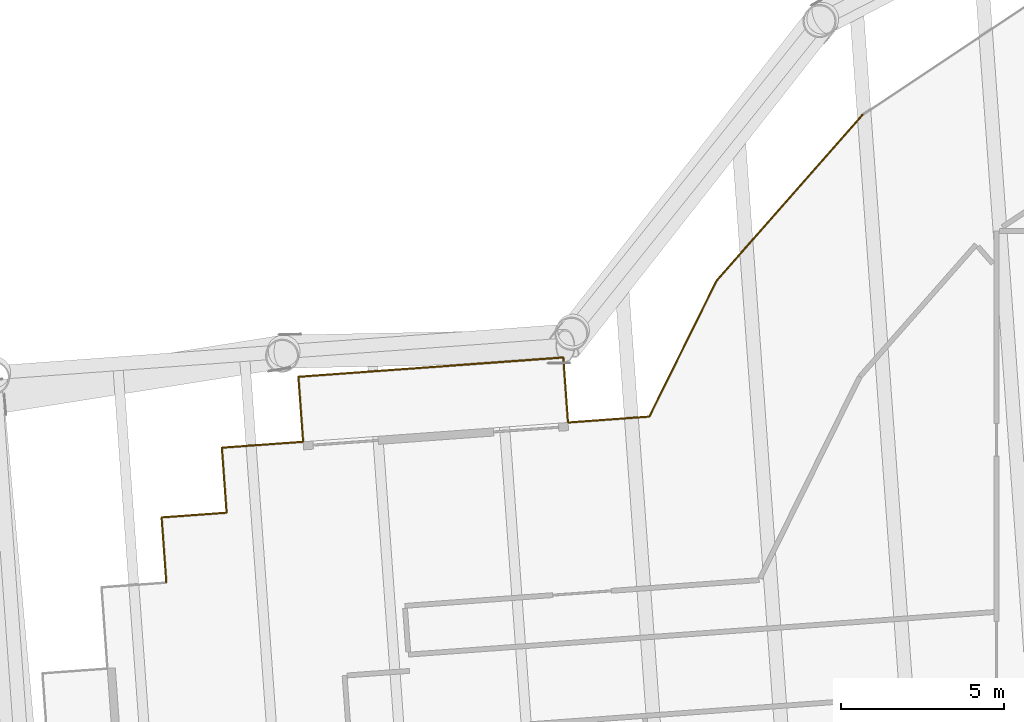
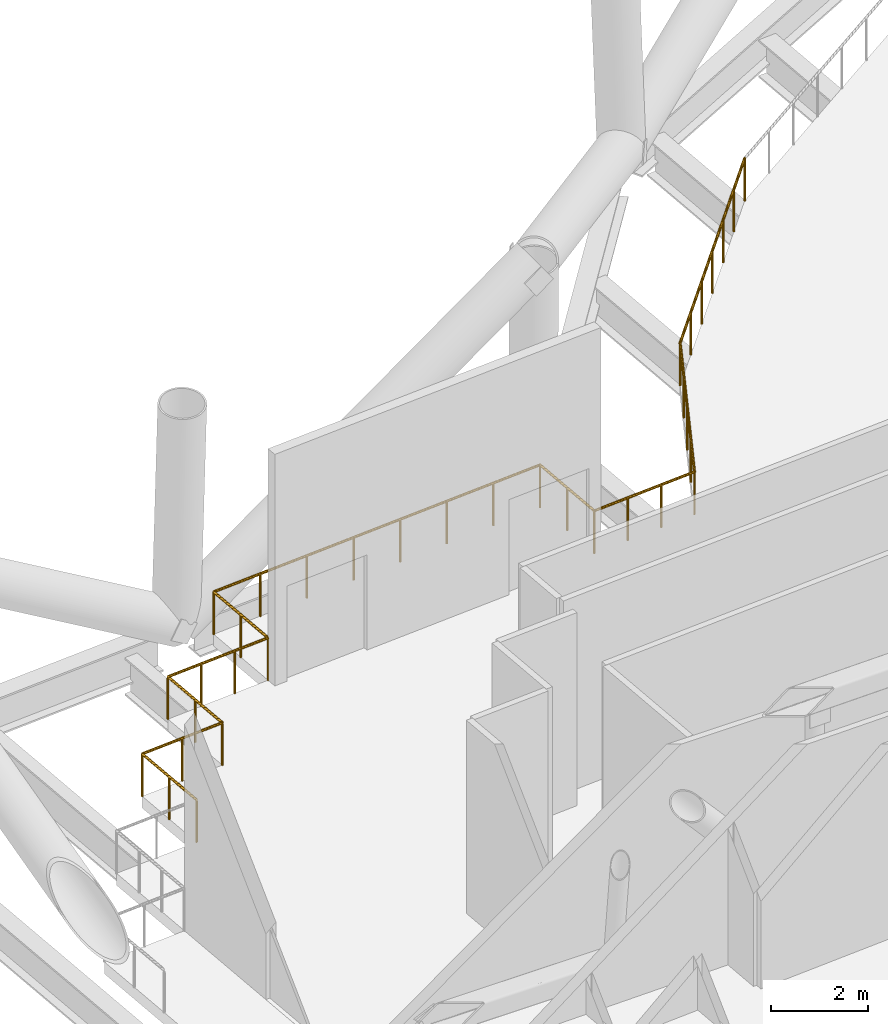
# One storey, part 29 of 33: 8 railings.
"""IFC4 building model written with IfcOpenShell, lengths in metres."""

from ifc_helpers import new_model, si_unit, direction, frame, origin, origin_2d, place, context, subcontext, project, spatial, circle, extrude, material, type_object, element, save


model = new_model("IFC4")

# Units and contexts
model_context = context("Model", 3, precision=1e-05, world=origin(), true_north=direction((0.0, 1.0)))
body_context = subcontext(model_context, "Body", "Model", "MODEL_VIEW")
ifc_project = project(units=[si_unit("LENGTHUNIT", "METRE"), si_unit("AREAUNIT", "SQUARE_METRE"), si_unit("VOLUMEUNIT", "CUBIC_METRE"), si_unit("PLANEANGLEUNIT", "RADIAN"), si_unit("MASSUNIT", "GRAM", prefix="KILO")], contexts=[model_context])

# Site, building, storey
site_placement = place(None, origin())
site = spatial("IfcSite", under=ifc_project, at=site_placement, CompositionType="ELEMENT")
building_placement = place(site_placement, origin())
building = spatial("IfcBuilding", under=site, at=building_placement, Name="Tarsis Ring Headquarters", CompositionType="ELEMENT")
storey_placement = place(building_placement, frame((0.0, 0.0, 302.0)))
storey = spatial("IfcBuildingStorey", under=building, at=storey_placement, Name="L71", CompositionType="ELEMENT", Elevation=302.0)

# Railings
ifc_material = material(Name="Stainless steel guard", Category="steel")
railing_type_1 = type_object("IfcRailingType", Name="Balcony balustrade with mesh infill 1100", PredefinedType="BALUSTRADE", material=ifc_material)
railing_1_placement = place(storey_placement, frame((-26.15234375, 10.129638671875, 0.0)))
element("IfcRailing", 1, at=railing_1_placement, inside=storey, type_object=railing_type_1, Name="Balcony balustrade L71-31", PredefinedType="BALUSTRADE", context=body_context, shape_type="SweptSolid", body=[
    extrude(circle(Radius=0.030029296875, at=origin_2d()), frame((0.0, 0.0, 1.070068359375), z_axis=(-0.072635050037, 0.99735858622, 0.0), x_axis=(-0.99735858622, -0.072635050037, 0.0)), (0.0, 0.0, 1.0), 2.0),
    extrude(circle(Radius=0.030029296875, at=origin_2d()), frame((-0.145263671875, 1.99462890625, 1.070068359375), z_axis=(-0.997365265368, -0.07254327976, 0.0), x_axis=(0.07254327976, -0.997365265368, 0.0)), (0.0, 0.0, 1.0), 8.151123046875),
    extrude(circle(Radius=0.030029296875, at=origin_2d()), frame((-8.27490234375, 1.4033203125, 1.070068359375), z_axis=(0.072513616761, -0.99736742246, 0.0), x_axis=(0.99736742246, 0.072513616761, 0.0)), (0.0, 0.0, 1.0), 2.0),
    extrude(circle(Radius=0.02490234375, at=origin_2d()), origin(), (0.0, 0.0, 1.0), 1.0400390625),
    extrude(circle(Radius=0.02490234375, at=origin_2d()), frame((-0.07275390625, 0.997314453125, 0.0)), (0.0, 0.0, 1.0), 1.0400390625),
    extrude(circle(Radius=0.02490234375, at=origin_2d()), frame((-0.145263671875, 1.99462890625, 0.0)), (0.0, 0.0, 1.0), 1.0400390625),
    extrude(circle(Radius=0.02490234375, at=origin_2d()), frame((-1.306640625, 1.91015625, 0.0)), (0.0, 0.0, 1.0), 1.0400390625),
    extrude(circle(Radius=0.02490234375, at=origin_2d()), frame((-2.468017578125, 1.82568359375, 0.0)), (0.0, 0.0, 1.0), 1.0400390625),
    extrude(circle(Radius=0.02490234375, at=origin_2d()), frame((-3.62939453125, 1.7412109375, 0.0)), (0.0, 0.0, 1.0), 1.0400390625),
    extrude(circle(Radius=0.02490234375, at=origin_2d()), frame((-4.790771484375, 1.65673828125, 0.0)), (0.0, 0.0, 1.0), 1.0400390625),
    extrude(circle(Radius=0.02490234375, at=origin_2d()), frame((-5.9521484375, 1.572265625, 0.0)), (0.0, 0.0, 1.0), 1.0400390625),
    extrude(circle(Radius=0.02490234375, at=origin_2d()), frame((-7.113525390625, 1.48779296875, 0.0)), (0.0, 0.0, 1.0), 1.0400390625),
    extrude(circle(Radius=0.02490234375, at=origin_2d()), frame((-8.27490234375, 1.4033203125, 0.0)), (0.0, 0.0, 1.0), 1.0400390625),
    extrude(circle(Radius=0.02490234375, at=origin_2d()), frame((-8.202392578125, 0.406005859375, 0.0)), (0.0, 0.0, 1.0), 1.0400390625),
    extrude(circle(Radius=0.02490234375, at=origin_2d()), frame((-8.1298828125, -0.59130859375, 0.0)), (0.0, 0.0, 1.0), 1.0400390625),
])
railing_type_2 = type_object("IfcRailingType", Name="Guard rail with mesh infill 1100", PredefinedType="GUARDRAIL", material=ifc_material)
railing_2_placement = place(storey_placement, frame((-17.1123046875, 19.57470703125, 0.0)))
element("IfcRailing", 2, at=railing_2_placement, inside=storey, type_object=railing_type_2, Name="Guard L71-29", PredefinedType="GUARDRAIL", context=body_context, shape_type="SweptSolid", body=[
    extrude(circle(Radius=0.030029296875, at=origin_2d()), frame((0.0, 0.0, 1.070068359375), z_axis=(-0.660521664147, -0.750806986644, 0.0), x_axis=(0.750806986644, -0.660521664147, 0.0)), (0.0, 0.0, 1.0), 6.787353515625),
    extrude(circle(Radius=0.02490234375, at=origin_2d()), origin(), (0.0, 0.0, 1.0), 1.0400390625),
    extrude(circle(Radius=0.02490234375, at=origin_2d()), frame((-0.7470703125, -0.849365234375, 0.0)), (0.0, 0.0, 1.0), 1.0400390625),
    extrude(circle(Radius=0.02490234375, at=origin_2d()), frame((-1.494384765625, -1.69873046875, 0.0)), (0.0, 0.0, 1.0), 1.0400390625),
    extrude(circle(Radius=0.02490234375, at=origin_2d()), frame((-2.24169921875, -2.5478515625, 0.0)), (0.0, 0.0, 1.0), 1.0400390625),
    extrude(circle(Radius=0.02490234375, at=origin_2d()), frame((-2.98876953125, -3.397216796875, 0.0)), (0.0, 0.0, 1.0), 1.0400390625),
    extrude(circle(Radius=0.02490234375, at=origin_2d()), frame((-3.73583984375, -4.24658203125, 0.0)), (0.0, 0.0, 1.0), 1.0400390625),
    extrude(circle(Radius=0.02490234375, at=origin_2d()), frame((-4.483154296875, -5.095947265625, 0.0)), (0.0, 0.0, 1.0), 1.0400390625),
])
railing_3_placement = place(storey_placement, frame((-21.595458984375, 14.478759765625, 0.0)))
element("IfcRailing", 3, at=railing_3_placement, inside=storey, type_object=railing_type_2, Name="Guard L71-30", PredefinedType="GUARDRAIL", context=body_context, shape_type="SweptSolid", body=[
    extrude(circle(Radius=0.030029296875, at=origin_2d()), frame((0.0, 0.0, 1.070068359375), z_axis=(-0.443682494952, -0.896184045648, 0.0), x_axis=(0.896184045648, -0.443682494952, 0.0)), (0.0, 0.0, 1.0), 4.65087890625),
    extrude(circle(Radius=0.02490234375, at=origin_2d()), origin(), (0.0, 0.0, 1.0), 1.0400390625),
    extrude(circle(Radius=0.02490234375, at=origin_2d()), frame((-0.515869140625, -1.0419921875, 0.0)), (0.0, 0.0, 1.0), 1.0400390625),
    extrude(circle(Radius=0.02490234375, at=origin_2d()), frame((-1.03173828125, -2.083984375, 0.0)), (0.0, 0.0, 1.0), 1.0400390625),
    extrude(circle(Radius=0.02490234375, at=origin_2d()), frame((-1.547607421875, -3.1259765625, 0.0)), (0.0, 0.0, 1.0), 1.0400390625),
    extrude(circle(Radius=0.02490234375, at=origin_2d()), frame((-2.0634765625, -4.16796875, 0.0)), (0.0, 0.0, 1.0), 1.0400390625),
])
railing_4_placement = place(storey_placement, frame((-23.658935546875, 10.310791015625, 0.0)))
element("IfcRailing", 4, at=railing_4_placement, inside=storey, type_object=railing_type_2, Name="Guard L71-31a", PredefinedType="GUARDRAIL", context=body_context, shape_type="SweptSolid", body=[
    extrude(circle(Radius=0.030029296875, at=origin_2d()), frame((0.0, 0.0, 1.070068359375), z_axis=(-0.997371209261, -0.07246151349, 0.0), x_axis=(0.07246151349, -0.997371209261, 0.0)), (0.0, 0.0, 1.0), 2.5),
    extrude(circle(Radius=0.02490234375, at=origin_2d()), origin(), (0.0, 0.0, 1.0), 1.0400390625),
    extrude(circle(Radius=0.02490234375, at=origin_2d()), frame((-0.8310546875, -0.060302734375, 0.0)), (0.0, 0.0, 1.0), 1.0400390625),
    extrude(circle(Radius=0.02490234375, at=origin_2d()), frame((-1.662353515625, -0.120849609375, 0.0)), (0.0, 0.0, 1.0), 1.0400390625),
    extrude(circle(Radius=0.02490234375, at=origin_2d()), frame((-2.493408203125, -0.18115234375, 0.0)), (0.0, 0.0, 1.0), 1.0400390625),
])
railing_5_placement = place(storey_placement, frame((-34.2822265625, 9.538330078125, 0.0)))
element("IfcRailing", 5, at=railing_5_placement, inside=storey, type_object=railing_type_2, Name="Guard L71-31b", PredefinedType="GUARDRAIL", context=body_context, shape_type="SweptSolid", body=[
    extrude(circle(Radius=0.030029296875, at=origin_2d()), frame((0.0, 0.0, 1.070068359375), z_axis=(-0.997364146806, -0.07255865672, 0.0), x_axis=(0.07255865672, -0.997364146806, 0.0)), (0.0, 0.0, 1.0), 2.5),
    extrude(circle(Radius=0.02490234375, at=origin_2d()), origin(), (0.0, 0.0, 1.0), 1.0400390625),
    extrude(circle(Radius=0.02490234375, at=origin_2d()), frame((-0.8310546875, -0.060546875, 0.0)), (0.0, 0.0, 1.0), 1.0400390625),
    extrude(circle(Radius=0.02490234375, at=origin_2d()), frame((-1.662353515625, -0.120849609375, 0.0)), (0.0, 0.0, 1.0), 1.0400390625),
    extrude(circle(Radius=0.02490234375, at=origin_2d()), frame((-2.493408203125, -0.181396484375, 0.0)), (0.0, 0.0, 1.0), 1.0400390625),
])
railing_6_placement = place(storey_placement, frame((-36.775634765625, 9.35693359375, 0.0)))
element("IfcRailing", 6, at=railing_6_placement, inside=storey, type_object=railing_type_2, Name="Guard L71-32", PredefinedType="GUARDRAIL", context=body_context, shape_type="SweptSolid", body=[
    extrude(circle(Radius=0.030029296875, at=origin_2d()), frame((0.0, 0.0, 1.070068359375), z_axis=(0.072504788908, -0.99736806425, 0.0), x_axis=(0.99736806425, 0.072504788908, 0.0)), (0.0, 0.0, 1.0), 2.000244140625),
    extrude(circle(Radius=0.02490234375, at=origin_2d()), origin(), (0.0, 0.0, 1.0), 1.0400390625),
    extrude(circle(Radius=0.02490234375, at=origin_2d()), frame((0.072509765625, -0.99755859375, 0.0)), (0.0, 0.0, 1.0), 1.0400390625),
    extrude(circle(Radius=0.02490234375, at=origin_2d()), frame((0.14501953125, -1.994873046875, 0.0)), (0.0, 0.0, 1.0), 1.0400390625),
])
railing_7_placement = place(storey_placement, frame((-36.630615234375, 7.362060546875, 0.0)))
element("IfcRailing", 7, at=railing_7_placement, inside=storey, type_object=railing_type_2, Name="Guard L71-33", PredefinedType="GUARDRAIL", context=body_context, shape_type="SweptSolid", body=[
    extrude(circle(Radius=0.030029296875, at=origin_2d()), frame((0.0, 0.0, 1.070068359375), z_axis=(-0.99736742246, -0.072513616761, 0.0), x_axis=(0.072513616761, -0.99736742246, 0.0)), (0.0, 0.0, 1.0), 2.0),
    extrude(circle(Radius=0.02490234375, at=origin_2d()), origin(), (0.0, 0.0, 1.0), 1.0400390625),
    extrude(circle(Radius=0.02490234375, at=origin_2d()), frame((-0.997314453125, -0.072509765625, 0.0)), (0.0, 0.0, 1.0), 1.0400390625),
    extrude(circle(Radius=0.02490234375, at=origin_2d()), frame((-1.99462890625, -0.14501953125, 0.0)), (0.0, 0.0, 1.0), 1.0400390625),
])
railing_8_placement = place(storey_placement, frame((-38.625244140625, 7.217041015625, 0.0)))
element("IfcRailing", 8, at=railing_8_placement, inside=storey, type_object=railing_type_2, Name="Guard L71-34", PredefinedType="GUARDRAIL", context=body_context, shape_type="SweptSolid", body=[
    extrude(circle(Radius=0.030029296875, at=origin_2d()), frame((0.0, 0.0, 1.070068359375), z_axis=(0.072513616761, -0.99736742246, 0.0), x_axis=(0.99736742246, 0.072513616761, 0.0)), (0.0, 0.0, 1.0), 2.0),
    extrude(circle(Radius=0.02490234375, at=origin_2d()), origin(), (0.0, 0.0, 1.0), 1.0400390625),
    extrude(circle(Radius=0.02490234375, at=origin_2d()), frame((0.072509765625, -0.997314453125, 0.0)), (0.0, 0.0, 1.0), 1.0400390625),
    extrude(circle(Radius=0.02490234375, at=origin_2d()), frame((0.14501953125, -1.99462890625, 0.0)), (0.0, 0.0, 1.0), 1.0400390625),
])

save(model, "model.ifc")
